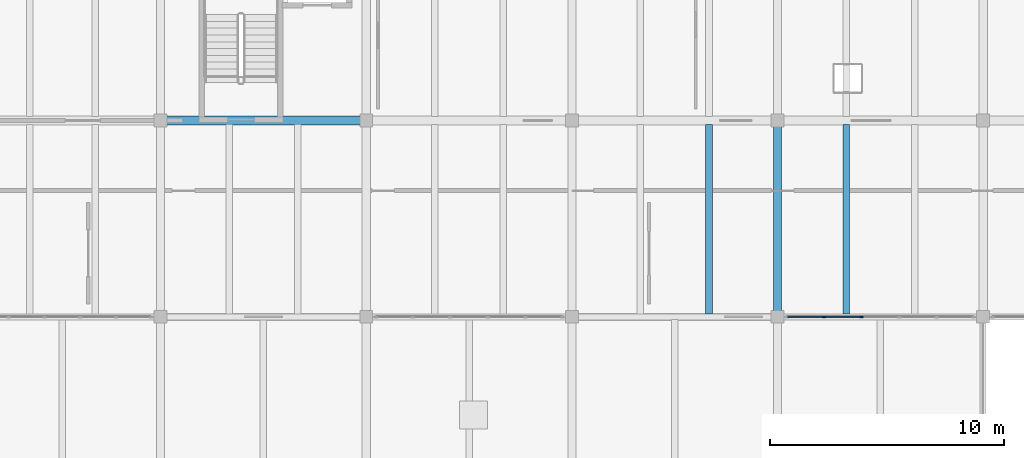
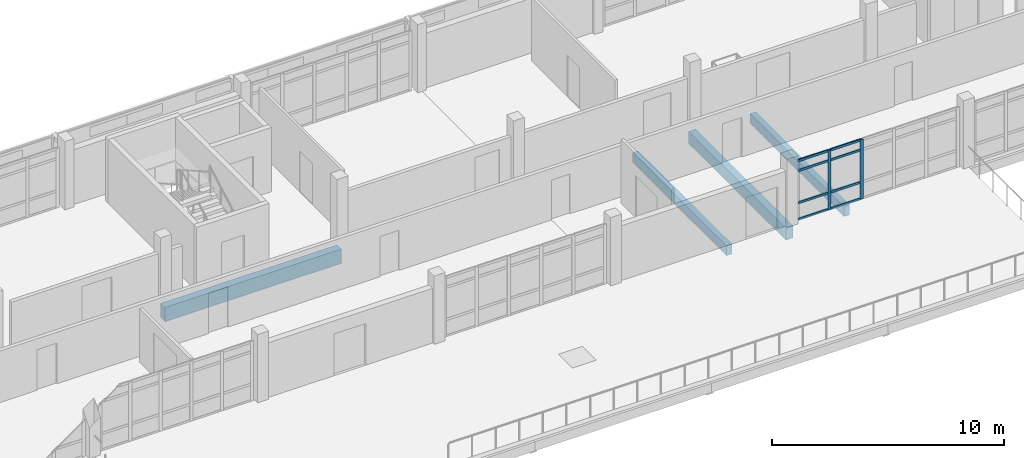
# One storey, part 9 of 30: 10 members, 4 beams, 1 element without a shape of its own.
"""IFC4 building model written with IfcOpenShell, lengths in metres."""

from ifc_helpers import new_model, si_unit, direction, frame, origin, origin_2d, place, context, subcontext, project, spatial, rectangle, extrude, material, material_profile, profile_set, type_object, element, aggregate, save


model = new_model("IFC4")

# Units and contexts
model_context = context("Model", 3, precision=1e-05, world=origin(), true_north=direction((0.0, 1.0)))
body_context = subcontext(model_context, "Body", "Model", "MODEL_VIEW")
ifc_project = project(units=[si_unit("LENGTHUNIT", "METRE"), si_unit("AREAUNIT", "SQUARE_METRE"), si_unit("VOLUMEUNIT", "CUBIC_METRE"), si_unit("PLANEANGLEUNIT", "RADIAN"), si_unit("MASSUNIT", "GRAM", prefix="KILO")], contexts=[model_context])

# Site, building, storey
site_placement = place(None, origin())
site = spatial("IfcSite", under=ifc_project, at=site_placement, CompositionType="ELEMENT")
building_placement = place(site_placement, origin())
building = spatial("IfcBuilding", under=site, at=building_placement, Name="Cinderway Yard Community Centre", CompositionType="ELEMENT")
storey_placement = place(building_placement, frame((0.0, 0.0, 16.5)))
storey = spatial("IfcBuildingStorey", under=building, at=storey_placement, Name="L04", CompositionType="ELEMENT", Elevation=16.5)

# Curtain wall, members
ifc_material_1 = material(Name="Aluminium 6063-T6", Category="aluminium")
curtain_wall_type = type_object("IfcCurtainWallType", Name="ENV-CW-TYPE-33", PredefinedType="USERDEFINED", material=ifc_material_1)
curtain_wall_placement = place(storey_placement, origin())
curtain_wall = element("IfcCurtainWall", 1, at=curtain_wall_placement, inside=storey, type_object=curtain_wall_type, Name="V4 Courtyard Curtain Wall ENV-CW-L04-ST-0184", ObjectType="GLAZED CURTAIN WALL", PredefinedType="USERDEFINED")
ifc_material_profile_1 = material_profile(ifc_material_1, rectangle(XDim=0.06005859375, YDim=0.159912109375, at=origin_2d()), Name="Aluminium 6063-T6")
ifc_profile_set_1 = profile_set([ifc_material_profile_1], Name="Aluminium 6063-T6")
member_type_1 = type_object("IfcMemberType", Name="ENV-CW-MULL-150", PredefinedType="MULLION", material=ifc_profile_set_1)
member_1_placement = place(storey_placement, frame((103.587890625, 98.39990234375, 0.0), z_axis=(0.0, 0.0, 1.0), x_axis=(0.0, 1.0, 0.0)))
member_1 = element("IfcMember", 2, at=member_1_placement, type_object=member_type_1, Name="CW-33 mullion 2", PredefinedType="MULLION", context=body_context, shape_type="SweptSolid", body=[
    extrude(rectangle(XDim=0.06005859375, YDim=0.159912109375, at=origin_2d()), origin(), (0.0, 0.0, 1.0), 3.14990234375),
])
member_2_placement = place(storey_placement, frame((105.196044921875, 98.39990234375, 0.0), z_axis=(0.0, 0.0, 1.0), x_axis=(0.0, 1.0, 0.0)))
member_2 = element("IfcMember", 3, at=member_2_placement, type_object=member_type_1, Name="CW-33 mullion 3", PredefinedType="MULLION", context=body_context, shape_type="SweptSolid", body=[
    extrude(rectangle(XDim=0.06005859375, YDim=0.159912109375, at=origin_2d()), origin(), (0.0, 0.0, 1.0), 3.14990234375),
])
ifc_material_profile_2 = material_profile(ifc_material_1, rectangle(XDim=0.06005859375, YDim=0.1201171875, at=origin_2d()), Name="Aluminium 6063-T6")
ifc_profile_set_2 = profile_set([ifc_material_profile_2], Name="Aluminium 6063-T6")
member_type_2 = type_object("IfcMemberType", Name="ENV-CW-TRAN-110", PredefinedType="USERDEFINED", material=ifc_profile_set_2)
member_3_placement = place(storey_placement, frame((102.0400390625, 98.39990234375, 0.030029296875), z_axis=(1.0, 0.0, 0.0), x_axis=(0.0, 1.0, 0.0)))
member_3 = element("IfcMember", 4, at=member_3_placement, type_object=member_type_2, Name="CW-33 transom 1.1", ObjectType="TRANSOM", PredefinedType="USERDEFINED", context=body_context, shape_type="SweptSolid", body=[
    extrude(rectangle(XDim=0.06005859375, YDim=0.1201171875, at=origin_2d()), origin(), (0.0, 0.0, 1.0), 1.51806640625),
])
member_4_placement = place(storey_placement, frame((102.0400390625, 98.39990234375, 0.89990234375), z_axis=(1.0, 0.0, 0.0), x_axis=(0.0, 1.0, 0.0)))
member_4 = element("IfcMember", 5, at=member_4_placement, type_object=member_type_2, Name="CW-33 transom 1.2", ObjectType="TRANSOM", PredefinedType="USERDEFINED", context=body_context, shape_type="SweptSolid", body=[
    extrude(rectangle(XDim=0.06005859375, YDim=0.1201171875, at=origin_2d()), origin(), (0.0, 0.0, 1.0), 1.51806640625),
])
member_5_placement = place(storey_placement, frame((102.0400390625, 98.39990234375, 2.60009765625), z_axis=(1.0, 0.0, 0.0), x_axis=(0.0, 1.0, 0.0)))
member_5 = element("IfcMember", 6, at=member_5_placement, type_object=member_type_2, Name="CW-33 transom 1.3", ObjectType="TRANSOM", PredefinedType="USERDEFINED", context=body_context, shape_type="SweptSolid", body=[
    extrude(rectangle(XDim=0.06005859375, YDim=0.1201171875, at=origin_2d()), origin(), (0.0, 0.0, 1.0), 1.51806640625),
])
member_6_placement = place(storey_placement, frame((102.0400390625, 98.39990234375, 3.1201171875), z_axis=(1.0, 0.0, 0.0), x_axis=(0.0, 1.0, 0.0)))
member_6 = element("IfcMember", 7, at=member_6_placement, type_object=member_type_2, Name="CW-33 transom 1.4", ObjectType="TRANSOM", PredefinedType="USERDEFINED", context=body_context, shape_type="SweptSolid", body=[
    extrude(rectangle(XDim=0.06005859375, YDim=0.1201171875, at=origin_2d()), origin(), (0.0, 0.0, 1.0), 1.51806640625),
])
member_7_placement = place(storey_placement, frame((103.617919921875, 98.39990234375, 0.030029296875), z_axis=(1.0, 0.0, 0.0), x_axis=(0.0, 1.0, 0.0)))
member_7 = element("IfcMember", 8, at=member_7_placement, type_object=member_type_2, Name="CW-33 transom 2.1", ObjectType="TRANSOM", PredefinedType="USERDEFINED", context=body_context, shape_type="SweptSolid", body=[
    extrude(rectangle(XDim=0.06005859375, YDim=0.1201171875, at=origin_2d()), origin(), (0.0, 0.0, 1.0), 1.548095703125),
])
member_8_placement = place(storey_placement, frame((103.617919921875, 98.39990234375, 0.89990234375), z_axis=(1.0, 0.0, 0.0), x_axis=(0.0, 1.0, 0.0)))
member_8 = element("IfcMember", 9, at=member_8_placement, type_object=member_type_2, Name="CW-33 transom 2.2", ObjectType="TRANSOM", PredefinedType="USERDEFINED", context=body_context, shape_type="SweptSolid", body=[
    extrude(rectangle(XDim=0.06005859375, YDim=0.1201171875, at=origin_2d()), origin(), (0.0, 0.0, 1.0), 1.548095703125),
])
member_9_placement = place(storey_placement, frame((103.617919921875, 98.39990234375, 2.60009765625), z_axis=(1.0, 0.0, 0.0), x_axis=(0.0, 1.0, 0.0)))
member_9 = element("IfcMember", 10, at=member_9_placement, type_object=member_type_2, Name="CW-33 transom 2.3", ObjectType="TRANSOM", PredefinedType="USERDEFINED", context=body_context, shape_type="SweptSolid", body=[
    extrude(rectangle(XDim=0.06005859375, YDim=0.1201171875, at=origin_2d()), origin(), (0.0, 0.0, 1.0), 1.548095703125),
])
member_10_placement = place(storey_placement, frame((103.617919921875, 98.39990234375, 3.1201171875), z_axis=(1.0, 0.0, 0.0), x_axis=(0.0, 1.0, 0.0)))
member_10 = element("IfcMember", 11, at=member_10_placement, type_object=member_type_2, Name="CW-33 transom 2.4", ObjectType="TRANSOM", PredefinedType="USERDEFINED", context=body_context, shape_type="SweptSolid", body=[
    extrude(rectangle(XDim=0.06005859375, YDim=0.1201171875, at=origin_2d()), origin(), (0.0, 0.0, 1.0), 1.548095703125),
])
aggregate(curtain_wall, [member_1, member_2, member_3, member_4, member_5, member_6, member_7, member_8, member_9, member_10])

# Beams
ifc_material_2 = material(Name="Concrete C35/45", Category="concrete")
ifc_material_profile_3 = material_profile(ifc_material_2, rectangle(XDim=0.280029296875, YDim=0.52001953125, at=origin_2d()), Name="Concrete C35/45")
ifc_profile_set_3 = profile_set([ifc_material_profile_3], Name="Concrete C35/45")
beam_type_1 = type_object("IfcBeamType", Name="STR-BM-RC280X520", PredefinedType="JOIST", material=ifc_profile_set_3)
for number, where, z_axis, x_axis, name in (
    (12, (98.6669921875, 98.511962890625, -0.47998046875), (0.0, 1.0, 0.0), (-1.0, 0.0, 0.0), "Secondary joist STR-BM-L04-BJ04-0888"),
    (13, (104.532958984375, 98.511962890625, -0.47998046875), (0.0, 1.0, 0.0), (-1.0, 0.0, 0.0), "Secondary joist STR-BM-L04-BJ04-0891"),
):
    element("IfcBeam", number, at=place(storey_placement, frame(where, z_axis=z_axis, x_axis=x_axis)), inside=storey, type_object=beam_type_1, Name=name, PredefinedType="JOIST", context=body_context, shape_type="SweptSolid", body=[
        extrude(rectangle(XDim=0.280029296875, YDim=0.52001953125, at=origin_2d()), origin(), (0.0, 0.0, 1.0), 8.115966796875),
    ])
ifc_material_profile_4 = material_profile(ifc_material_2, rectangle(XDim=0.35009765625, YDim=0.64990234375, at=origin_2d()), Name="Concrete C35/45")
ifc_profile_set_4 = profile_set([ifc_material_profile_4], Name="Concrete C35/45")
beam_type_2 = type_object("IfcBeamType", Name="STR-BM-RC350X650", PredefinedType="BEAM", material=ifc_profile_set_4)
beam_1_placement = place(storey_placement, frame((101.60009765625, 98.39990234375, -0.544921875), z_axis=(0.0, 1.0, 0.0), x_axis=(-1.0, 0.0, 0.0)))
element("IfcBeam", 14, at=beam_1_placement, inside=storey, type_object=beam_type_2, Name="Transverse girder STR-BM-L04-BG08-0857", PredefinedType="BEAM", context=body_context, shape_type="SweptSolid", body=[
    extrude(rectangle(XDim=0.35009765625, YDim=0.64990234375, at=origin_2d()), origin(), (0.0, 0.0, 1.0), 8.400146484375),
])
ifc_material_profile_5 = material_profile(ifc_material_2, rectangle(XDim=0.3798828125, YDim=0.75, at=origin_2d()), Name="Concrete C35/45")
ifc_profile_set_5 = profile_set([ifc_material_profile_5], Name="Concrete C35/45")
beam_type_3 = type_object("IfcBeamType", Name="STR-BM-RC380X750", PredefinedType="BEAM", material=ifc_profile_set_5)
beam_2_placement = place(storey_placement, frame((75.199951171875, 106.800048828125, -0.594970703125), z_axis=(1.0, 0.0, 0.0), x_axis=(0.0, 1.0, 0.0)))
element("IfcBeam", 15, at=beam_2_placement, inside=storey, type_object=beam_type_3, Name="Primary girder STR-BM-L04-BG06-0825", PredefinedType="BEAM", context=body_context, shape_type="SweptSolid", body=[
    extrude(rectangle(XDim=0.3798828125, YDim=0.75, at=origin_2d()), origin(), (0.0, 0.0, 1.0), 8.800048828125),
])

save(model, "model.ifc")
